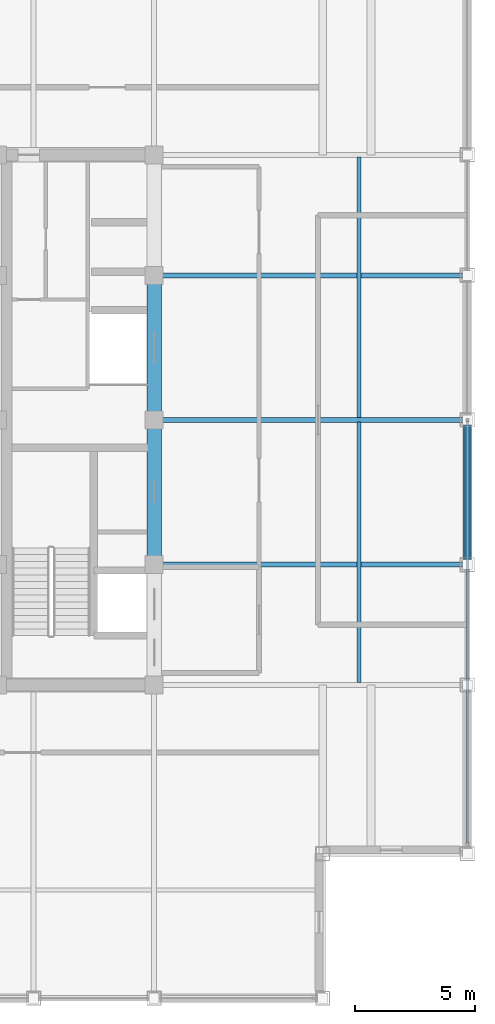
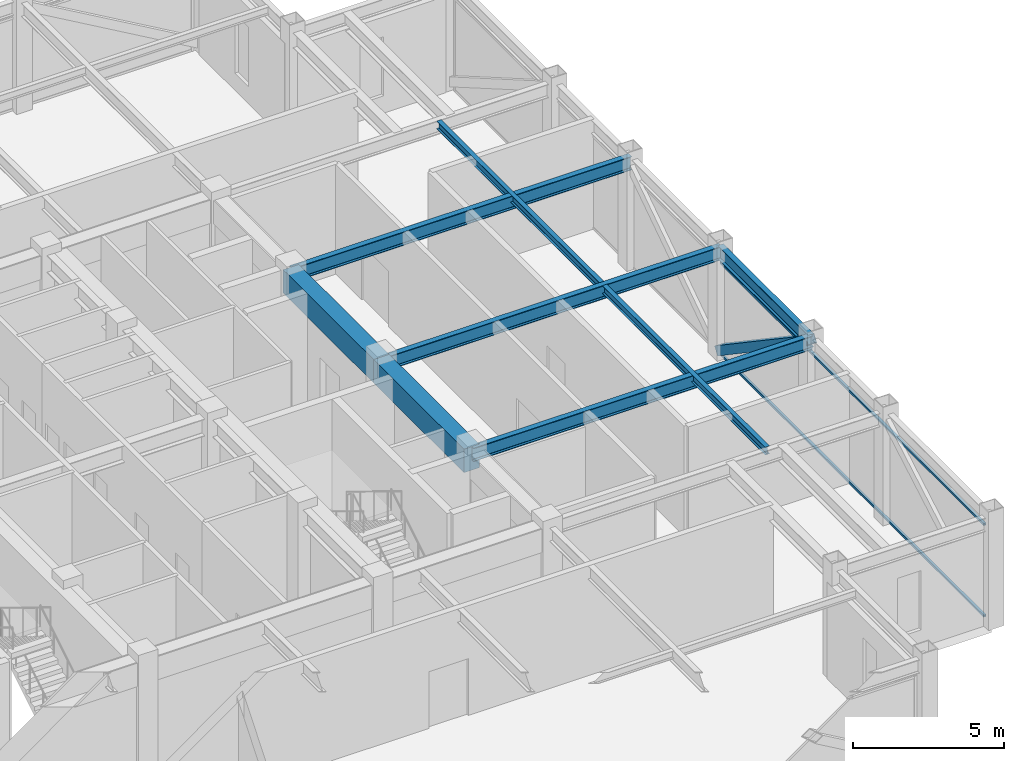
# One storey, part 11 of 27: 8 beams, 3 members, 1 element without a shape of its own.
"""IFC4 building model written with IfcOpenShell, lengths in metres."""

import ifcopenshell
import ifcopenshell.guid

model = None  # the IFC model being written
_history = None  # IfcOwnerHistory: only IFC2X3 demands one
_inside = {}  # id of a spatial element -> (the spatial element, [elements in it])
_under = {}  # id of a project, library or spatial element -> (it, [spatial elements below it])
_declared = {}  # id of a project -> (the project, [libraries it declares])
_typed = {}  # id of a type object -> (the type object, [elements of that type])
_made_of = {}  # id of a material, layer set ... -> (it, [elements and type objects made of it])


def new_model(schema):
    """Start an empty IFC model of exactly this schema.

    Asked for "IFC4X3", IfcOpenShell would pick the latest addendum, in which some entities
    have other attributes; the version numbers below select the first issue.
    IFC2X3 requires an IfcOwnerHistory on every rooted entity: one is made here for all.
    """
    global model, _history
    if schema == "IFC4X3":
        model = ifcopenshell.file(schema_version=(4, 3, 0, 0))
    else:
        model = ifcopenshell.file(schema=schema)
    _inside.clear()
    _under.clear()
    _declared.clear()
    _typed.clear()
    _made_of.clear()
    _history = None
    if model.schema == "IFC2X3":
        org = make("IfcOrganization", Name="unknown")
        user = make(
            "IfcPersonAndOrganization",
            ThePerson=make("IfcPerson", FamilyName="unknown"),
            TheOrganization=org,
        )
        app = make(
            "IfcApplication",
            ApplicationDeveloper=org,
            Version="unknown",
            ApplicationFullName="unknown",
            ApplicationIdentifier="unknown",
        )
        _history = make(
            "IfcOwnerHistory",
            OwningUser=user,
            OwningApplication=app,
            ChangeAction="ADDED",
            CreationDate=0,
        )
    return model


def make(cls, **values):
    """One entity of the class cls with the attributes given. An attribute that is None is left unset."""
    return model.create_entity(
        cls, **{name: value for name, value in values.items() if value is not None}
    )


def rooted(cls, **values):
    """An entity with a GlobalId (a new one), such as an element, a storey or a relation."""
    return make(cls, GlobalId=ifcopenshell.guid.new(), OwnerHistory=_history, **values)


def si_unit(unit_type, name, prefix=None):
    """IfcSIUnit, for example si_unit("LENGTHUNIT", "METRE", prefix="MILLI")."""
    return make("IfcSIUnit", UnitType=unit_type, Prefix=prefix, Name=name)


def assignment(units):
    """IfcUnitAssignment: the units of a project."""
    return None if units is None else make("IfcUnitAssignment", Units=units)


def point(xyz):
    """IfcCartesianPoint."""
    return None if xyz is None else make("IfcCartesianPoint", Coordinates=xyz)


def direction(xyz):
    """IfcDirection."""
    return None if xyz is None else make("IfcDirection", DirectionRatios=xyz)


def frame(location, z_axis=None, x_axis=None):
    """IfcAxis2Placement3D, a coordinate frame: its origin and axes. An axis left out is left unset."""
    return make(
        "IfcAxis2Placement3D",
        Location=point(location),
        Axis=direction(z_axis),
        RefDirection=direction(x_axis),
    )


def frame_2d(location, x_axis=None):
    """IfcAxis2Placement2D, a coordinate frame in the plane: its origin and x axis."""
    return make(
        "IfcAxis2Placement2D", Location=point(location), RefDirection=direction(x_axis)
    )


def origin():
    """The frame at (0, 0, 0) with its axes left unset."""
    return frame((0.0, 0.0, 0.0))


def origin_2d():
    """The frame at (0, 0) in the plane with its x axis left unset."""
    return frame_2d((0.0, 0.0))


def place(relative_to, where):
    """IfcLocalPlacement: puts the frame where relative to a parent placement (None: the world)."""
    return make(
        "IfcLocalPlacement", PlacementRelTo=relative_to, RelativePlacement=where
    )


def context(
    kind, dimensions, precision=None, world=None, true_north=None, identifier=None
):
    """IfcGeometricRepresentationContext, for example the 3D "Model" context."""
    return make(
        "IfcGeometricRepresentationContext",
        ContextIdentifier=identifier,
        ContextType=kind,
        CoordinateSpaceDimension=dimensions,
        Precision=precision,
        WorldCoordinateSystem=world,
        TrueNorth=true_north,
    )


def subcontext(parent, identifier, kind, view, scale=None):
    """IfcGeometricRepresentationSubContext, for example "Body" below "Model"."""
    return make(
        "IfcGeometricRepresentationSubContext",
        ContextIdentifier=identifier,
        ContextType=kind,
        ParentContext=parent,
        TargetScale=scale,
        TargetView=view,
    )


def project(units=None, contexts=None):
    """IfcProject with its units and contexts."""
    return rooted(
        "IfcProject",
        Name="project",
        RepresentationContexts=contexts,
        UnitsInContext=assignment(units),
    )


def spatial(cls, under=None, at=None, **own):
    """A site, building, storey or space (cls), placed at a placement, below another one or the project."""
    s = rooted(cls, ObjectPlacement=at, **own)
    if under is not None:
        _under.setdefault(under.id(), (under, []))[1].append(s)
    return s


def profile(cls, at=None, kind="AREA", **sizes):
    """A parametric profile (cls). Its sizes go by their IFC names, for example OverallWidth=200.0."""
    return make(cls, ProfileType=kind, Position=at, **sizes)


def rectangle(**sizes):
    """IfcRectangleProfileDef."""
    return profile("IfcRectangleProfileDef", **sizes)


def hollow_rectangle(**sizes):
    """IfcRectangleHollowProfileDef."""
    return profile("IfcRectangleHollowProfileDef", **sizes)


def i_section(**sizes):
    """IfcIShapeProfileDef."""
    return profile("IfcIShapeProfileDef", **sizes)


def extrude(swept, where, along, depth):
    """IfcExtrudedAreaSolid: the profile swept, set in the frame where, extruded along a direction by depth."""
    return make(
        "IfcExtrudedAreaSolid",
        SweptArea=swept,
        Position=where,
        ExtrudedDirection=direction(along),
        Depth=depth,
    )


def shape(context_of_items, identifier, shape_type, items):
    """IfcShapeRepresentation: the items that make up one representation, for example the "Body"."""
    return make(
        "IfcShapeRepresentation",
        ContextOfItems=context_of_items,
        RepresentationIdentifier=identifier,
        RepresentationType=shape_type,
        Items=items,
    )


def source(mapping_origin, context_of_items, identifier, shape_type, items):
    """IfcRepresentationMap: a shape defined once, which mapped items show again and again."""
    return make(
        "IfcRepresentationMap",
        MappingOrigin=mapping_origin,
        MappedRepresentation=shape(context_of_items, identifier, shape_type, items),
    )


def transform(
    local_origin,
    x_axis=None,
    y_axis=None,
    z_axis=None,
    scale=None,
    scale2=None,
    scale3=None,
    uniform=True,
):
    """IfcCartesianTransformationOperator3D, or its non-uniform kind. x_axis, y_axis, z_axis: its Axis1, 2, 3."""
    if uniform:
        return make(
            "IfcCartesianTransformationOperator3D",
            Axis1=direction(x_axis),
            Axis2=direction(y_axis),
            LocalOrigin=point(local_origin),
            Scale=scale,
            Axis3=direction(z_axis),
        )
    return make(
        "IfcCartesianTransformationOperator3DnonUniform",
        Axis1=direction(x_axis),
        Axis2=direction(y_axis),
        LocalOrigin=point(local_origin),
        Scale=scale,
        Axis3=direction(z_axis),
        Scale2=scale2,
        Scale3=scale3,
    )


def mapped(mapping_source, mapping_target):
    """IfcMappedItem: shows the shape of a source again, moved by a transform."""
    return make(
        "IfcMappedItem", MappingSource=mapping_source, MappingTarget=mapping_target
    )


def material(Name=None, Category=None):
    """IfcMaterial."""
    return make("IfcMaterial", Name=Name, Category=Category)


def material_profile(
    of_material, cross_section, Name=None, Category=None, Priority=None
):
    """IfcMaterialProfile: a cross section and its material."""
    return make(
        "IfcMaterialProfile",
        Name=Name,
        Material=of_material,
        Profile=cross_section,
        Priority=Priority,
        Category=Category,
    )


def profile_set(profiles, Name=None, composite=None):
    """IfcMaterialProfileSet."""
    return make(
        "IfcMaterialProfileSet",
        Name=Name,
        MaterialProfiles=profiles,
        CompositeProfile=composite,
    )


def made_of(thing, what):
    """Note that an element or type object is made of a material, layer set ...; save() writes the relation."""
    if what is not None:
        _made_of.setdefault(what.id(), (what, []))[1].append(thing)
    return thing


def type_object(cls, material=None, **own):
    """A type object (cls), such as IfcWallType, which elements share."""
    return made_of(rooted(cls, **own), material)


def element(
    cls,
    number,
    at=None,
    inside=None,
    cuts=None,
    type_object=None,
    material=None,
    context=None,
    identifier="Body",
    shape_type=None,
    held_by="IfcProductDefinitionShape",
    body=None,
    shapes=None,
    **own,
):
    """One element of the class cls, such as IfcWall. Its Tag is "e" and its number.

    at: its placement. inside: the storey or other place that contains it. cuts: it is an
    opening in that element (IfcRelVoidsElement). A single representation is given by context,
    identifier, shape_type and body (its items); several are given by shapes. held_by: the class
    of the entity that holds the representations. save() writes the other relations.
    """
    e = rooted(cls, Tag="e%d" % number, ObjectPlacement=at, **own)
    if body is not None:
        shapes = [shape(context, identifier, shape_type, body)]
    if shapes is not None:
        e.Representation = make(held_by, Representations=shapes)
    if inside is not None:
        _inside.setdefault(inside.id(), (inside, []))[1].append(e)
    if cuts is not None:
        rooted(
            "IfcRelVoidsElement", RelatingBuildingElement=cuts, RelatedOpeningElement=e
        )
    if type_object is not None:
        _typed.setdefault(type_object.id(), (type_object, []))[1].append(e)
    return made_of(e, material)


def aggregate(whole, parts):
    """IfcRelAggregates: a whole, such as a stair, and the parts it consists of."""
    return rooted("IfcRelAggregates", RelatingObject=whole, RelatedObjects=parts)


def save(model, path):
    """Write the relations noted so far, then the file.

    IfcRelAggregates (storeys below a building ...), IfcRelContainedInSpatialStructure (elements
    in a storey), IfcRelDefinesByType, IfcRelAssociatesMaterial and IfcRelDeclares: one each for
    every whole, place, type object, material and project.
    """
    for whole, parts in _under.values():
        aggregate(whole, parts)
    for where, things in _inside.values():
        rooted(
            "IfcRelContainedInSpatialStructure",
            RelatedElements=things,
            RelatingStructure=where,
        )
    for kind, things in _typed.values():
        rooted("IfcRelDefinesByType", RelatedObjects=things, RelatingType=kind)
    for what, things in _made_of.values():
        rooted("IfcRelAssociatesMaterial", RelatedObjects=things, RelatingMaterial=what)
    for by, libraries in _declared.values():
        rooted("IfcRelDeclares", RelatingContext=by, RelatedDefinitions=libraries)
    model.write(path)


model = new_model("IFC4")

# Units and contexts
model_context = context("Model", 3, precision=1e-05, world=origin(), true_north=direction((0.0, 1.0)))
body_context = subcontext(model_context, "Body", "Model", "MODEL_VIEW")
ifc_project = project(units=[si_unit("LENGTHUNIT", "METRE"), si_unit("AREAUNIT", "SQUARE_METRE"), si_unit("VOLUMEUNIT", "CUBIC_METRE"), si_unit("PLANEANGLEUNIT", "RADIAN"), si_unit("MASSUNIT", "GRAM", prefix="KILO")], contexts=[model_context])

# Site, building, storey
site_placement = place(None, origin())
site = spatial("IfcSite", under=ifc_project, at=site_placement, CompositionType="ELEMENT")
building_placement = place(site_placement, origin())
building = spatial("IfcBuilding", under=site, at=building_placement, Name="Khorayat Bourse Tower", CompositionType="ELEMENT")
storey_placement = place(building_placement, frame((0.0, 0.0, 385.10009765625)))
storey = spatial("IfcBuildingStorey", under=building, at=storey_placement, Name="L91", CompositionType="ELEMENT", Elevation=385.10009765625)

# Beams
ifc_material_1 = material(Name="Concrete C60/75", Category="concrete")
ifc_material_profile_1 = material_profile(ifc_material_1, rectangle(XDim=0.60009765625, YDim=0.949951171875, at=origin_2d()), Name="RC 600x950")
ifc_profile_set_1 = profile_set([ifc_material_profile_1], Name="Concrete C60/75")
beam_type_1 = type_object("IfcBeamType", Name="BM-COUP-950", PredefinedType="BEAM", material=ifc_profile_set_1)
shared_shape_1 = source(origin(), body_context, "Body", "SweptSolid", [
    extrude(rectangle(XDim=0.60009765625, YDim=0.949951171875, at=origin_2d()), origin(), (0.0, 0.0, 1.0), 6.0),
])
for number, where, z_axis, x_axis, name in (
    (1, (11.0, -6.0, 3.974853515625), (0.0, 1.0, 0.0), (-1.0, 0.0, 0.0), "L91 BM-COUP-950 BM-L91-CRX-14"),
    (2, (11.0, 0.0, 3.974853515625), (0.0, 1.0, 0.0), (-1.0, 0.0, 0.0), "L91 BM-COUP-950 BM-L91-CRX-15"),
):
    element("IfcBeam", number, at=place(storey_placement, frame(where, z_axis=z_axis, x_axis=x_axis)), inside=storey, type_object=beam_type_1, Name=name, PredefinedType="BEAM", context=body_context, shape_type="MappedRepresentation", body=[
        mapped(shared_shape_1, transform((0.0, 0.0, 0.0), scale=1.0)),
    ])
ifc_material_2 = material(Name="Steel ASTM A992 Grade 50", Category="steel")
ifc_material_profile_2 = material_profile(ifc_material_2, i_section(OverallWidth=0.214111328125, OverallDepth=0.549072265625, WebThickness=0.0146484375, FlangeThickness=0.023681640625, FilletRadius=0.013916015625, at=origin_2d()), Name="W530X138")
ifc_profile_set_2 = profile_set([ifc_material_profile_2], Name="Steel ASTM A992 Grade 50")
beam_type_2 = type_object("IfcBeamType", Name="BM-SPAN-530", PredefinedType="SPANDREL", material=ifc_profile_set_2)
shared_shape_2 = source(origin(), body_context, "Body", "SweptSolid", [
    extrude(i_section(OverallWidth=0.214111328125, OverallDepth=0.549072265625, WebThickness=0.0146484375, FlangeThickness=0.023681640625, FilletRadius=0.013916015625, at=origin_2d()), origin(), (0.0, 0.0, 1.0), 6.0),
])
beam_placement = place(storey_placement, frame((24.0, -6.0, 4.17529296875), z_axis=(0.0, 1.0, 0.0), x_axis=(-1.0, 0.0, 0.0)))
element("IfcBeam", 3, at=beam_placement, inside=storey, type_object=beam_type_2, Name="L91 BM-SPAN-530 BM-L91-SPN-034", PredefinedType="SPANDREL", context=body_context, shape_type="MappedRepresentation", body=[
    mapped(shared_shape_2, transform((0.0, 0.0, 0.0), scale=1.0)),
])
ifc_material_profile_3 = material_profile(ifc_material_2, i_section(OverallWidth=0.214111328125, OverallDepth=0.549072265625, WebThickness=0.0146484375, FlangeThickness=0.023681640625, FilletRadius=0.013916015625, at=origin_2d()), Name="W530X138")
ifc_profile_set_3 = profile_set([ifc_material_profile_3], Name="Steel ASTM A992 Grade 50")
beam_type_3 = type_object("IfcBeamType", Name="BM-GIRD-530", PredefinedType="BEAM", material=ifc_profile_set_3)
shared_shape_3 = source(origin(), body_context, "Body", "SweptSolid", [
    extrude(i_section(OverallWidth=0.214111328125, OverallDepth=0.549072265625, WebThickness=0.0146484375, FlangeThickness=0.023681640625, FilletRadius=0.013916015625, at=origin_2d()), origin(), (0.0, 0.0, 1.0), 13.0),
])
for number, where, z_axis, x_axis, name in (
    (4, (11.0, -6.0, 4.17529296875), (1.0, 0.0, 0.0), (0.0, 1.0, 0.0), "L91 BM-GIRD-530 BM-L91-RADX-068"),
    (5, (11.0, 0.0, 4.17529296875), (1.0, 0.0, 0.0), (0.0, 1.0, 0.0), "L91 BM-GIRD-530 BM-L91-RADX-070"),
    (6, (11.0, 6.0, 4.17529296875), (1.0, 0.0, 0.0), (0.0, 1.0, 0.0), "L91 BM-GIRD-530 BM-L91-RADX-072"),
):
    element("IfcBeam", number, at=place(storey_placement, frame(where, z_axis=z_axis, x_axis=x_axis)), inside=storey, type_object=beam_type_3, Name=name, PredefinedType="BEAM", context=body_context, shape_type="MappedRepresentation", body=[
        mapped(shared_shape_3, transform((0.0, 0.0, 0.0), scale=1.0)),
    ])
ifc_material_profile_4 = material_profile(ifc_material_2, i_section(OverallWidth=0.1669921875, OverallDepth=0.31689453125, WebThickness=0.007568359375, FlangeThickness=0.01318359375, FilletRadius=0.010009765625, at=origin_2d()), Name="W310X52")
ifc_profile_set_4 = profile_set([ifc_material_profile_4], Name="Steel ASTM A992 Grade 50")
beam_type_4 = type_object("IfcBeamType", Name="BM-JOIST-310", PredefinedType="JOIST", material=ifc_profile_set_4)
shared_shape_4 = source(origin(), body_context, "Body", "SweptSolid", [
    extrude(i_section(OverallWidth=0.1669921875, OverallDepth=0.31689453125, WebThickness=0.007568359375, FlangeThickness=0.01318359375, FilletRadius=0.010009765625, at=origin_2d()), origin(), (0.0, 0.0, 1.0), 10.81005859375),
])
for number, where, z_axis, x_axis, name in (
    (7, (19.5, -10.905029296875, 4.29150390625), (0.0, 1.0, 0.0), (-1.0, 0.0, 0.0), "L91 BM-JOIST-310 BM-L91-JSTY-092"),
    (8, (19.5, 0.094970703125, 4.29150390625), (0.0, 1.0, 0.0), (-1.0, 0.0, 0.0), "L91 BM-JOIST-310 BM-L91-JSTY-093"),
):
    element("IfcBeam", number, at=place(storey_placement, frame(where, z_axis=z_axis, x_axis=x_axis)), inside=storey, type_object=beam_type_4, Name=name, PredefinedType="JOIST", context=body_context, shape_type="MappedRepresentation", body=[
        mapped(shared_shape_4, transform((0.0, 0.0, 0.0), scale=1.0)),
    ])

# Member
ifc_material_3 = material(Name="Steel EN 10025-2 S355J2", Category="steel")
ifc_material_profile_5 = material_profile(ifc_material_3, hollow_rectangle(XDim=0.35009765625, YDim=0.35009765625, WallThickness=0.02001953125, at=origin_2d()), Name="HSS 350x350x20")
ifc_profile_set_5 = profile_set([ifc_material_profile_5], Name="Steel EN 10025-2 S355J2")
member_type_1 = type_object("IfcMemberType", Name="MBR-CROWN-350", PredefinedType="USERDEFINED", material=ifc_profile_set_5)
shared_shape_5 = source(origin(), body_context, "Body", "SweptSolid", [
    extrude(hollow_rectangle(XDim=0.35009765625, YDim=0.35009765625, WallThickness=0.02001953125, at=origin_2d()), origin(), (0.0, 0.0, 1.0), 7.239013671875),
])
member_1_placement = place(storey_placement, frame((24.0, -6.0, 4.25), z_axis=(0.0, 0.828845546207, -0.559477488852), x_axis=(-1.0, 0.0, 0.0)))
element("IfcMember", 9, at=member_1_placement, inside=storey, type_object=member_type_1, Name="L91 Lantern Crown Frame Member 14", ObjectType="CROWN FRAME", PredefinedType="USERDEFINED", context=body_context, shape_type="MappedRepresentation", body=[
    mapped(shared_shape_5, transform((0.0, 0.0, 0.0), scale=1.0)),
])

# Curtain wall, members
ifc_material_4 = material(Name="Aluminium EN AW-6063 T6", Category="aluminium")
curtain_wall_type = type_object("IfcCurtainWallType", Name="CW-SYS-07", PredefinedType="NOTDEFINED", material=ifc_material_4)
curtain_wall_placement = place(storey_placement, origin())
curtain_wall = element("IfcCurtainWall", 10, at=curtain_wall_placement, inside=storey, type_object=curtain_wall_type, Name="L91 Curtain Wall CW-L91-E1", PredefinedType="NOTDEFINED")
ifc_material_profile_6 = material_profile(ifc_material_4, hollow_rectangle(XDim=0.090087890625, YDim=0.090087890625, WallThickness=0.00390625, at=origin_2d()), Name="ALU 90x90x4")
ifc_profile_set_6 = profile_set([ifc_material_profile_6], Name="Aluminium EN AW-6063 T6")
member_type_2 = type_object("IfcMemberType", Name="CWT-HORZ-90", PredefinedType="USERDEFINED", material=ifc_profile_set_6)
shared_shape_6 = source(origin(), body_context, "Body", "SweptSolid", [
    extrude(hollow_rectangle(XDim=0.090087890625, YDim=0.090087890625, WallThickness=0.00390625, at=origin_2d()), origin(), (0.0, 0.0, 1.0), 17.5),
])
member_2_placement = place(storey_placement, frame((24.0, -17.550048828125, 0.044921875), z_axis=(0.0, 1.0, 0.0), x_axis=(-1.0, 0.0, 0.0)))
member_2 = element("IfcMember", 11, at=member_2_placement, type_object=member_type_2, Name="CW-L91-E1 Horizontal Transom 1-1", ObjectType="TRANSOM", PredefinedType="USERDEFINED", context=body_context, shape_type="MappedRepresentation", body=[
    mapped(shared_shape_6, transform((0.0, 0.0, 0.0), scale=1.0)),
])
member_3_placement = place(storey_placement, frame((24.0, -17.550048828125, 3.7548828125), z_axis=(0.0, 1.0, 0.0), x_axis=(-1.0, 0.0, 0.0)))
member_3 = element("IfcMember", 12, at=member_3_placement, type_object=member_type_2, Name="CW-L91-E1 Horizontal Transom 1-2", ObjectType="TRANSOM", PredefinedType="USERDEFINED", context=body_context, shape_type="MappedRepresentation", body=[
    mapped(shared_shape_6, transform((0.0, 0.0, 0.0), scale=1.0)),
])
aggregate(curtain_wall, [member_2, member_3])

save(model, "model.ifc")
